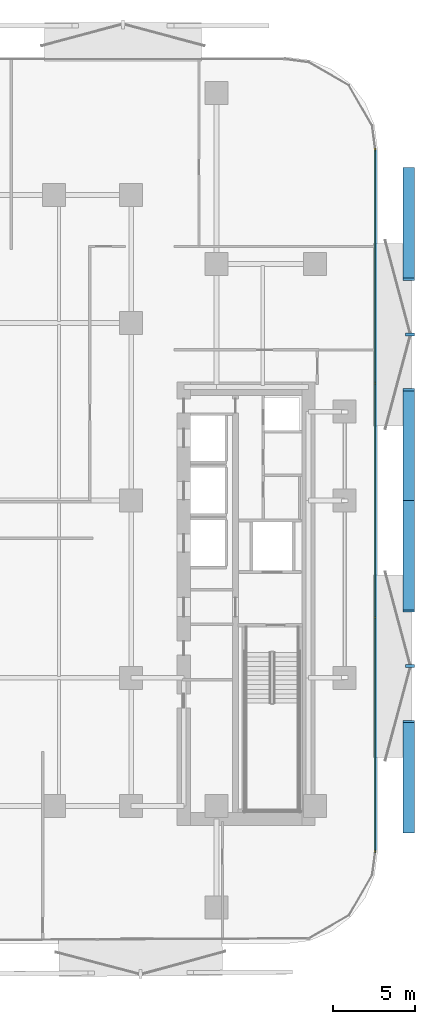
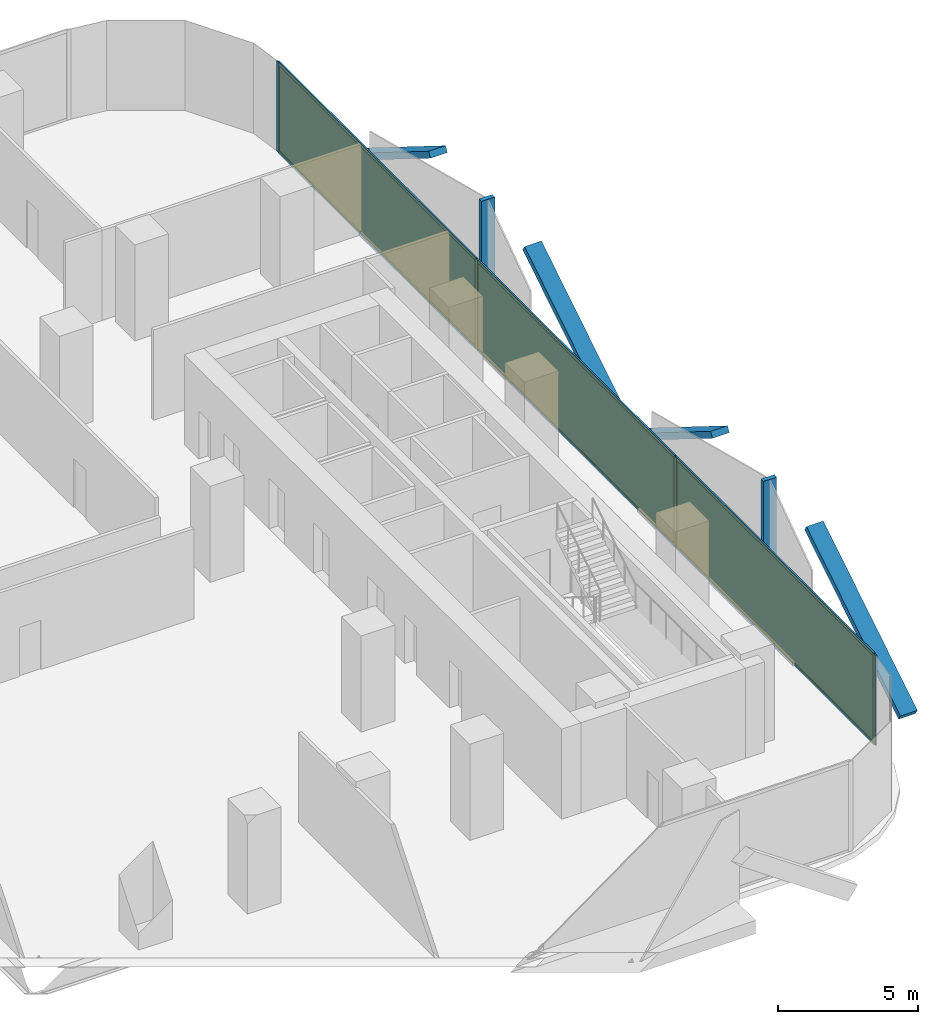
# One storey, part 9 of 15: 16 members, 3 plates, 1 curtain wall.
"""IFC4 building model written with IfcOpenShell, lengths in metres."""

from ifc_helpers import new_model, si_unit, direction, frame, frame_2d, origin, origin_2d, place, context, subcontext, project, spatial, rectangle, extrude, material, layer, layer_set, material_profile, profile_set, type_object, element, aggregate, save


model = new_model("IFC4")

# Units and contexts
model_context = context("Model", 3, precision=1e-05, world=origin(), true_north=direction((0.0, 1.0)))
body_context = subcontext(model_context, "Body", "Model", "MODEL_VIEW")
ifc_project = project(units=[si_unit("LENGTHUNIT", "METRE"), si_unit("AREAUNIT", "SQUARE_METRE"), si_unit("VOLUMEUNIT", "CUBIC_METRE"), si_unit("PLANEANGLEUNIT", "RADIAN"), si_unit("MASSUNIT", "GRAM", prefix="KILO")], contexts=[model_context])

# Member
ifc_material_1 = material(Name="Anodised Bronze Aluminium 6063-T6", Category="aluminium")
ifc_material_profile_1 = material_profile(ifc_material_1, rectangle(XDim=0.260009765625, YDim=0.699951171875, at=origin_2d()))
ifc_profile_set_1 = profile_set([ifc_material_profile_1], Name="Anodised Bronze Aluminium 6063-T6")
member_type_1 = type_object("IfcMemberType", Name="Bronze Diamond Solar-Screen Lattice Rib BDL-700", PredefinedType="MULLION", material=ifc_profile_set_1)
site_placement = place(None, origin())
building_placement = place(site_placement, origin())
storey_placement = place(building_placement, frame((0.0, 0.0, 51.199951171875)))
member_1_placement = place(storey_placement, frame((26.10009765625, 20.19091796875, -0.1298828125), z_axis=(0.0, -0.848371528126, 0.529401313057), x_axis=(0.0, -0.529401313057, -0.848371528126)))
member_1 = element("IfcMember", 1, at=member_1_placement, type_object=member_type_1, Name="L12 Bronze Diamond Solar Screen Lattice Rib 55A", PredefinedType="MULLION", context=body_context, shape_type="SweptSolid", body=[
    extrude(rectangle(XDim=0.260009765625, YDim=0.699951171875, at=origin_2d()), origin(), (0.0, 0.0, 1.0), 7.933349609375),
])

member_2_placement = place(storey_placement, frame((26.10009765625, 0.0, -0.1298828125), z_axis=(0.0, 0.848362902952, 0.529415134744), x_axis=(0.0, 0.529415134744, -0.848362902952)))
member_2 = element("IfcMember", 2, at=member_2_placement, type_object=member_type_1, Name="L12 Bronze Diamond Solar Screen Lattice Rib 55B", PredefinedType="MULLION", context=body_context, shape_type="SweptSolid", body=[
    extrude(rectangle(XDim=0.260009765625, YDim=0.699951171875, at=origin_2d()), origin(), (0.0, 0.0, 1.0), 7.93310546875),
])

member_3_placement = place(storey_placement, frame((26.10009765625, 0.0, -0.1298828125), z_axis=(0.0, -0.848362902952, 0.529415134744), x_axis=(0.0, -0.529415134744, -0.848362902952)))
member_3 = element("IfcMember", 3, at=member_3_placement, type_object=member_type_1, Name="L12 Bronze Diamond Solar Screen Lattice Rib 56A", PredefinedType="MULLION", context=body_context, shape_type="SweptSolid", body=[
    extrude(rectangle(XDim=0.260009765625, YDim=0.699951171875, at=origin_2d()), origin(), (0.0, 0.0, 1.0), 7.93310546875),
])

member_4_placement = place(storey_placement, frame((26.10009765625, -20.19091796875, -0.1298828125), z_axis=(0.0, 0.848371528126, 0.529401313057), x_axis=(0.0, 0.529401313057, -0.848371528126)))
member_4 = element("IfcMember", 4, at=member_4_placement, type_object=member_type_1, Name="L12 Bronze Diamond Solar Screen Lattice Rib 56B", PredefinedType="MULLION", context=body_context, shape_type="SweptSolid", body=[
    extrude(rectangle(XDim=0.260009765625, YDim=0.699951171875, at=origin_2d()), origin(), (0.0, 0.0, 1.0), 7.933349609375),
])

ifc_material_2 = material(Name="Anodised Bronze Aluminium 6063-T6", Category="aluminium")
ifc_material_profile_2 = material_profile(ifc_material_2, rectangle(XDim=0.179931640625, YDim=0.5400390625, at=origin_2d()))
ifc_profile_set_2 = profile_set([ifc_material_profile_2], Name="Anodised Bronze Aluminium 6063-T6")
member_type_2 = type_object("IfcMemberType", Name="Bronze Solar-Screen Vertical Fold Fin BSF-540", PredefinedType="MULLION", material=ifc_profile_set_2)
member_5_placement = place(storey_placement, frame((26.179931640625, 10.095458984375, -0.1298828125), z_axis=(0.0, 0.0, 1.0), x_axis=(0.0, -1.0, 0.0)))
member_5 = element("IfcMember", 5, at=member_5_placement, type_object=member_type_2, Name="L12 Bronze Solar Screen Vertical Fin 55", PredefinedType="MULLION", context=body_context, shape_type="SweptSolid", body=[
    extrude(rectangle(XDim=0.179931640625, YDim=0.5400390625, at=origin_2d()), origin(), (0.0, 0.0, 1.0), 4.199951171875),
])

member_6_placement = place(storey_placement, frame((26.179931640625, -10.095458984375, -0.1298828125), z_axis=(0.0, 0.0, 1.0), x_axis=(0.0, -1.0, 0.0)))
member_6 = element("IfcMember", 6, at=member_6_placement, type_object=member_type_2, Name="L12 Bronze Solar Screen Vertical Fin 56", PredefinedType="MULLION", context=body_context, shape_type="SweptSolid", body=[
    extrude(rectangle(XDim=0.179931640625, YDim=0.5400390625, at=origin_2d()), origin(), (0.0, 0.0, 1.0), 4.199951171875),
])

ifc_material_3 = material(Name="Anodised Bronze Aluminium 6063-T6", Category="aluminium")
ifc_material_profile_3 = material_profile(ifc_material_3, rectangle(XDim=0.06494140625, YDim=0.179931640625, at=origin_2d()))
ifc_profile_set_3 = profile_set([ifc_material_profile_3], Name="Anodised Bronze Aluminium 6063-T6")
member_type_3 = type_object("IfcMemberType", Name="CW-Z1 Mullion 65x180", PredefinedType="MULLION", material=ifc_profile_set_3)
member_7_placement = place(storey_placement, frame((24.06005859375, 21.3583984375, 0.0), z_axis=(0.0, 0.0, 1.0), x_axis=(1.0, 0.0, 0.0)))
member_7 = element("IfcMember", 7, at=member_7_placement, type_object=member_type_3, Name="CW-Z1 mullion 1", PredefinedType="MULLION", context=body_context, shape_type="SweptSolid", body=[
    extrude(rectangle(XDim=0.06494140625, YDim=0.179931640625, at=origin_2d()), origin(), (0.0, 0.0, 1.0), 3.93994140625),
])

member_8_placement = place(storey_placement, frame((24.06005859375, 7.13037109375, 0.0), z_axis=(0.0, 0.0, 1.0), x_axis=(1.0, 0.0, 0.0)))
member_8 = element("IfcMember", 8, at=member_8_placement, type_object=member_type_3, Name="CW-Z1 mullion 2", PredefinedType="MULLION", context=body_context, shape_type="SweptSolid", body=[
    extrude(rectangle(XDim=0.06494140625, YDim=0.179931640625, at=origin_2d()), origin(), (0.0, 0.0, 1.0), 3.93994140625),
])

member_9_placement = place(storey_placement, frame((24.06005859375, -7.13037109375, 0.0), z_axis=(0.0, 0.0, 1.0), x_axis=(1.0, 0.0, 0.0)))
member_9 = element("IfcMember", 9, at=member_9_placement, type_object=member_type_3, Name="CW-Z1 mullion 3", PredefinedType="MULLION", context=body_context, shape_type="SweptSolid", body=[
    extrude(rectangle(XDim=0.06494140625, YDim=0.179931640625, at=origin_2d()), origin(), (0.0, 0.0, 1.0), 3.93994140625),
])

member_10_placement = place(storey_placement, frame((24.06005859375, -21.3583984375, 0.0), z_axis=(0.0, 0.0, 1.0), x_axis=(1.0, 0.0, 0.0)))
member_10 = element("IfcMember", 10, at=member_10_placement, type_object=member_type_3, Name="CW-Z1 mullion 4", PredefinedType="MULLION", context=body_context, shape_type="SweptSolid", body=[
    extrude(rectangle(XDim=0.06494140625, YDim=0.179931640625, at=origin_2d()), origin(), (0.0, 0.0, 1.0), 3.93994140625),
])

ifc_material_4 = material(Name="Anodised Bronze Aluminium 6063-T6", Category="aluminium")
ifc_material_profile_4 = material_profile(ifc_material_4, rectangle(XDim=0.06494140625, YDim=0.139892578125, at=origin_2d()))
ifc_profile_set_4 = profile_set([ifc_material_profile_4], Name="Anodised Bronze Aluminium 6063-T6")
member_type_4 = type_object("IfcMemberType", Name="CW-Z1 Transom 65x140", PredefinedType="USERDEFINED", material=ifc_profile_set_4)
member_11_placement = place(storey_placement, frame((24.06005859375, 21.32568359375, 0.032470703125), z_axis=(0.0, -1.0, 0.0), x_axis=(1.0, 0.0, 0.0)))
member_11 = element("IfcMember", 11, at=member_11_placement, type_object=member_type_4, Name="CW-Z1 transom 1.1", ObjectType="TRANSOM", PredefinedType="USERDEFINED", context=body_context, shape_type="SweptSolid", body=[
    extrude(rectangle(XDim=0.06494140625, YDim=0.139892578125, at=origin_2d()), origin(), (0.0, 0.0, 1.0), 14.162841796875),
])

member_12_placement = place(storey_placement, frame((24.06005859375, 21.32568359375, 3.907470703125), z_axis=(0.0, -1.0, 0.0), x_axis=(1.0, 0.0, 0.0)))
member_12 = element("IfcMember", 12, at=member_12_placement, type_object=member_type_4, Name="CW-Z1 transom 1.2", ObjectType="TRANSOM", PredefinedType="USERDEFINED", context=body_context, shape_type="SweptSolid", body=[
    extrude(rectangle(XDim=0.06494140625, YDim=0.139892578125, at=origin_2d()), origin(), (0.0, 0.0, 1.0), 14.162841796875),
])

member_13_placement = place(storey_placement, frame((24.06005859375, 7.09765625, 0.032470703125), z_axis=(0.0, -1.0, 0.0), x_axis=(1.0, 0.0, 0.0)))
member_13 = element("IfcMember", 13, at=member_13_placement, type_object=member_type_4, Name="CW-Z1 transom 2.1", ObjectType="TRANSOM", PredefinedType="USERDEFINED", context=body_context, shape_type="SweptSolid", body=[
    extrude(rectangle(XDim=0.06494140625, YDim=0.139892578125, at=origin_2d()), origin(), (0.0, 0.0, 1.0), 14.1953125),
])

member_14_placement = place(storey_placement, frame((24.06005859375, 7.09765625, 3.907470703125), z_axis=(0.0, -1.0, 0.0), x_axis=(1.0, 0.0, 0.0)))
member_14 = element("IfcMember", 14, at=member_14_placement, type_object=member_type_4, Name="CW-Z1 transom 2.2", ObjectType="TRANSOM", PredefinedType="USERDEFINED", context=body_context, shape_type="SweptSolid", body=[
    extrude(rectangle(XDim=0.06494140625, YDim=0.139892578125, at=origin_2d()), origin(), (0.0, 0.0, 1.0), 14.1953125),
])

member_15_placement = place(storey_placement, frame((24.06005859375, -7.162841796875, 0.032470703125), z_axis=(0.0, -1.0, 0.0), x_axis=(1.0, 0.0, 0.0)))
member_15 = element("IfcMember", 15, at=member_15_placement, type_object=member_type_4, Name="CW-Z1 transom 3.1", ObjectType="TRANSOM", PredefinedType="USERDEFINED", context=body_context, shape_type="SweptSolid", body=[
    extrude(rectangle(XDim=0.06494140625, YDim=0.139892578125, at=origin_2d()), origin(), (0.0, 0.0, 1.0), 14.162841796875),
])

member_16_placement = place(storey_placement, frame((24.06005859375, -7.162841796875, 3.907470703125), z_axis=(0.0, -1.0, 0.0), x_axis=(1.0, 0.0, 0.0)))
member_16 = element("IfcMember", 16, at=member_16_placement, type_object=member_type_4, Name="CW-Z1 transom 3.2", ObjectType="TRANSOM", PredefinedType="USERDEFINED", context=body_context, shape_type="SweptSolid", body=[
    extrude(rectangle(XDim=0.06494140625, YDim=0.139892578125, at=origin_2d()), origin(), (0.0, 0.0, 1.0), 14.162841796875),
])

# Plate
ifc_material_5 = material(Name="Low-E Solar Control Laminated Glass", Category="glass")
ifc_layer_1 = layer(ifc_material_5, 0.028076171875, Name="Low-E Solar Control Laminated Glass")
ifc_layer_set_1 = layer_set([ifc_layer_1], Name="Low-E Solar Control Laminated Glass")
plate_type = type_object("IfcPlateType", Name="CW-Z1 Low-E Double Glazed Panel 28mm", PredefinedType="CURTAIN_PANEL", material=ifc_layer_set_1)
plate_1_placement = place(storey_placement, frame((24.06005859375, 14.244384765625, 0.06494140625), z_axis=(0.0, 0.0, 1.0), x_axis=(0.0, -1.0, 0.0)))
plate_1 = element("IfcPlate", 17, at=plate_1_placement, type_object=plate_type, Name="CW-Z1 panel 1.1", PredefinedType="CURTAIN_PANEL", context=body_context, shape_type="SweptSolid", body=[
    extrude(rectangle(XDim=14.1630859375, YDim=0.028076171875, at=origin_2d()), origin(), (0.0, 0.0, 1.0), 3.81005859375),
])

plate_2_placement = place(storey_placement, frame((24.06005859375, 0.0, 0.06494140625), z_axis=(0.0, 0.0, 1.0), x_axis=(0.0, -1.0, 0.0)))
plate_2 = element("IfcPlate", 18, at=plate_2_placement, type_object=plate_type, Name="CW-Z1 panel 2.1", PredefinedType="CURTAIN_PANEL", context=body_context, shape_type="SweptSolid", body=[
    extrude(rectangle(XDim=14.195556640625, YDim=0.028076171875, at=origin_2d()), origin(), (0.0, 0.0, 1.0), 3.81005859375),
])

plate_3_placement = place(storey_placement, frame((24.06005859375, -14.244384765625, 0.06494140625), z_axis=(0.0, 0.0, 1.0), x_axis=(0.0, -1.0, 0.0)))
plate_3 = element("IfcPlate", 19, at=plate_3_placement, type_object=plate_type, Name="CW-Z1 panel 3.1", PredefinedType="CURTAIN_PANEL", context=body_context, shape_type="SweptSolid", body=[
    extrude(rectangle(XDim=14.1630859375, YDim=0.028076171875, at=origin_2d()), origin(), (0.0, 0.0, 1.0), 3.81005859375),
])

# Site, building, storey
site = spatial("IfcSite", under=ifc_project, at=site_placement, CompositionType="ELEMENT")
building = spatial("IfcBuilding", under=site, at=building_placement, Name="Khairoan Windgate Tower", CompositionType="ELEMENT")
storey = spatial("IfcBuildingStorey", under=building, at=storey_placement, Name="L12", CompositionType="ELEMENT", Elevation=51.199951171875)

# Curtain wall
ifc_material_6 = material(Name="Anodised Bronze Aluminium 6063-T6", Category="aluminium")
ifc_layer_2 = layer(ifc_material_6, 0.179931640625, Name="Anodised Bronze Aluminium 6063-T6")
ifc_layer_set_2 = layer_set([ifc_layer_2], Name="Anodised Bronze Aluminium 6063-T6")
curtain_wall_type = type_object("IfcCurtainWallType", Name="Low-Rise Office Unitised Curtain Wall CW-Z1", PredefinedType="NOTDEFINED", material=ifc_layer_set_2)
curtain_wall_placement = place(storey_placement, frame((24.06005859375, 21.390869140625, 0.0), z_axis=(0.0, 0.0, 1.0), x_axis=(0.0, -1.0, 0.0)))
curtain_wall = element("IfcCurtainWall", 20, at=curtain_wall_placement, inside=storey, type_object=curtain_wall_type, Name="L12 Unitised Curtain Wall 16", PredefinedType="NOTDEFINED", context=body_context, shape_type="SweptSolid", body=[
    extrude(rectangle(XDim=42.78173828125, YDim=0.010009765625, at=frame_2d((21.390869140625, 0.0))), origin(), (0.0, 0.0, 1.0), 3.93994140625),
])

aggregate(curtain_wall, [member_7, member_8, member_9, member_10, member_11, member_12, plate_1, member_13, member_14, plate_2, member_15, member_16, plate_3, member_1, member_2, member_5, member_3, member_4, member_6])

save(model, "model.ifc")
